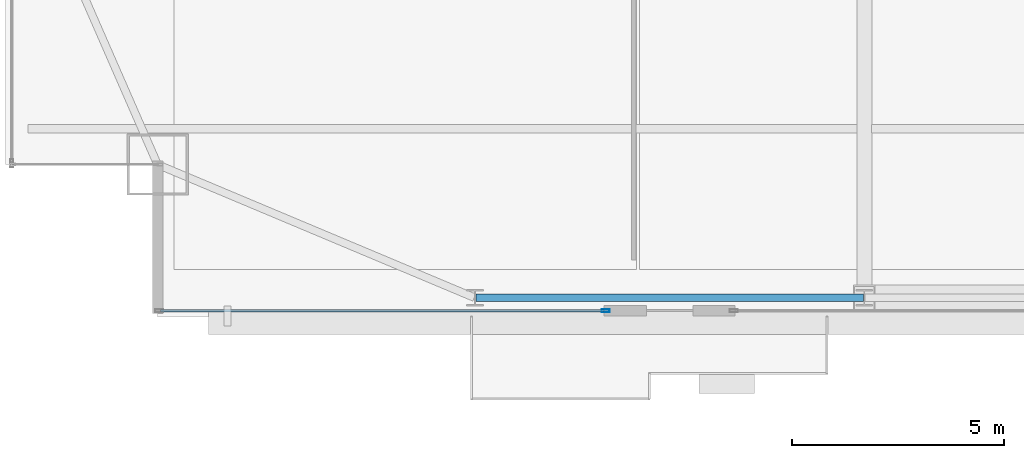
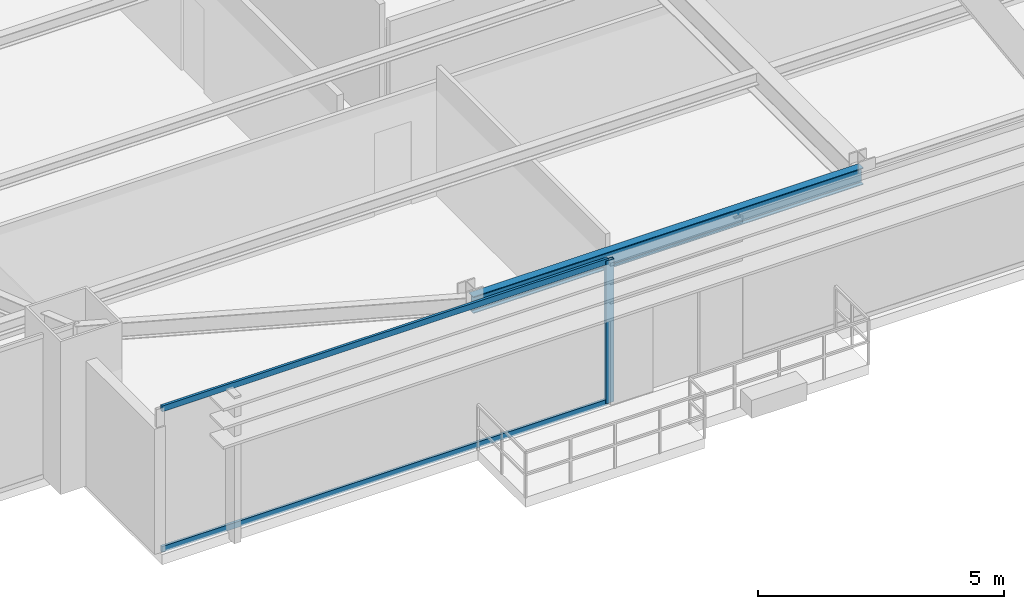
# One storey, part 4 of 37: 3 members, 1 beam, 1 element without a shape of its own.
"""IFC4 building model written with IfcOpenShell, lengths in metres."""

from ifc_helpers import new_model, si_unit, direction, frame, origin, origin_2d, place, context, subcontext, project, spatial, hollow_rectangle, i_section, extrude, source, transform, mapped, material, layer, layer_set, material_profile, profile_set, type_object, type_shapes, element, aggregate, save


model = new_model("IFC4")

# Units and contexts
model_context = context("Model", 3, precision=1e-05, world=origin(), true_north=direction((0.0, 1.0)))
body_context = subcontext(model_context, "Body", "Model", "MODEL_VIEW")
ifc_project = project(units=[si_unit("LENGTHUNIT", "METRE"), si_unit("AREAUNIT", "SQUARE_METRE"), si_unit("VOLUMEUNIT", "CUBIC_METRE"), si_unit("PLANEANGLEUNIT", "RADIAN"), si_unit("MASSUNIT", "GRAM", prefix="KILO")], contexts=[model_context])

# Site, building, storey
site_placement = place(None, origin())
site = spatial("IfcSite", under=ifc_project, at=site_placement, CompositionType="ELEMENT")
building_placement = place(site_placement, origin())
building = spatial("IfcBuilding", under=site, at=building_placement, Name="Varnel Quay Broadcast Tower", CompositionType="ELEMENT")
storey_placement = place(building_placement, frame((0.0, 0.0, 106.800048828125)))
storey = spatial("IfcBuildingStorey", under=building, at=storey_placement, Name="L25", CompositionType="ELEMENT", Elevation=106.800048828125)

# Beam
ifc_material_1 = material(Name="Structural Steel CSA G40.21 350W", Category="steel")
ifc_material_profile_1 = material_profile(ifc_material_1, i_section(OverallWidth=0.180908203125, OverallDepth=0.4169921875, WebThickness=0.010986328125, FlangeThickness=0.018310546875, FilletRadius=0.011962890625, at=origin_2d()), Name="W410X85")
ifc_profile_set_1 = profile_set([ifc_material_profile_1], Name="Structural Steel CSA G40.21 350W")
beam_type = type_object("IfcBeamType", Name="Beam_W410X85", PredefinedType="SPANDREL", material=ifc_profile_set_1)
shared_shape_1 = source(origin(), body_context, "Body", "SweptSolid", [
    extrude(i_section(OverallWidth=0.180908203125, OverallDepth=0.4169921875, WebThickness=0.010986328125, FlangeThickness=0.018310546875, FilletRadius=0.011962890625, at=origin_2d()), origin(), (0.0, 0.0, 1.0), 9.159912109375),
])
type_shapes(beam_type, [shared_shape_1])
beam_placement = place(storey_placement, frame((15.6201171875, 4.64990234375, 3.341552734375), z_axis=(1.0, 0.0, 0.0), x_axis=(0.0, 1.0, 0.0)))
element("IfcBeam", 1, at=beam_placement, inside=storey, type_object=beam_type, Name="L25 South Spandrel TC-S1-TC-S2", PredefinedType="SPANDREL", context=body_context, shape_type="MappedRepresentation", body=[
    mapped(shared_shape_1, transform((0.0, 0.0, 0.0), x_axis=(1.0, 0.0, 0.0), y_axis=(0.0, 1.0, 0.0), z_axis=(0.0, 0.0, 1.0), scale=1.0)),
])

# Curtain wall, members
ifc_material_2 = material(Name="Anodised Bronze Aluminium 6063-T6", Category="aluminium")
ifc_layer = layer(ifc_material_2, 0.18994140625, Name="Anodised Bronze Aluminium 6063-T6")
ifc_layer_set = layer_set([ifc_layer], Name="Anodised Bronze Aluminium 6063-T6")
curtain_wall_type = type_object("IfcCurtainWallType", Name="CW_LowerTower", PredefinedType="NOTDEFINED", material=ifc_layer_set)
curtain_wall_placement = place(storey_placement, origin())
curtain_wall = element("IfcCurtainWall", 2, at=curtain_wall_placement, inside=storey, type_object=curtain_wall_type, Name="L25 South Unitised Curtain Wall 1", PredefinedType="NOTDEFINED")
ifc_material_profile_2 = material_profile(ifc_material_2, hollow_rectangle(XDim=0.070068359375, YDim=0.18994140625, WallThickness=0.00390625, at=origin_2d()), Name="ALU70X190X4")
ifc_profile_set_2 = profile_set([ifc_material_profile_2], Name="Anodised Bronze Aluminium 6063-T6")
member_type_1 = type_object("IfcMemberType", Name="Mull_CWS-02", PredefinedType="MULLION", material=ifc_profile_set_2)
shared_shape_2 = source(origin(), body_context, "Body", "SweptSolid", [
    extrude(hollow_rectangle(XDim=0.070068359375, YDim=0.18994140625, WallThickness=0.00390625, at=origin_2d()), origin(), (0.0, 0.0, 1.0), 3.550048828125),
])
type_shapes(member_type_1, [shared_shape_2])
member_1_placement = place(storey_placement, frame((18.68505859375, 4.35009765625, 0.0), z_axis=(0.0, 0.0, 1.0), x_axis=(0.0, 1.0, 0.0)))
member_1 = element("IfcMember", 3, at=member_1_placement, type_object=member_type_1, Name="CWS-02 mullion 2", PredefinedType="MULLION", context=body_context, shape_type="MappedRepresentation", body=[
    mapped(shared_shape_2, transform((0.0, 0.0, 0.0), x_axis=(1.0, 0.0, 0.0), y_axis=(0.0, 1.0, 0.0), z_axis=(0.0, 0.0, 1.0), scale=1.0)),
])
ifc_material_profile_3 = material_profile(ifc_material_2, hollow_rectangle(XDim=0.06005859375, YDim=0.14501953125, WallThickness=0.00341796875, at=origin_2d()), Name="ALU60X145X3.5")
ifc_profile_set_3 = profile_set([ifc_material_profile_3], Name="Anodised Bronze Aluminium 6063-T6")
member_type_2 = type_object("IfcMemberType", Name="Tran_CWS-02", PredefinedType="USERDEFINED", material=ifc_profile_set_3)
shared_shape_3 = source(origin(), body_context, "Body", "SweptSolid", [
    extrude(hollow_rectangle(XDim=0.06005859375, YDim=0.14501953125, WallThickness=0.00341796875, at=origin_2d()), origin(), (0.0, 0.0, 1.0), 10.47998046875),
])
type_shapes(member_type_2, [shared_shape_3])
member_2_placement = place(storey_placement, frame((8.169921875, 4.35009765625, 0.030029296875), z_axis=(1.0, 0.0, 0.0), x_axis=(0.0, 1.0, 0.0)))
member_2 = element("IfcMember", 4, at=member_2_placement, type_object=member_type_2, Name="CWS-02 transom 1.1", ObjectType="TRANSOM", PredefinedType="USERDEFINED", context=body_context, shape_type="MappedRepresentation", body=[
    mapped(shared_shape_3, transform((0.0, 0.0, 0.0), x_axis=(1.0, 0.0, 0.0), y_axis=(0.0, 1.0, 0.0), z_axis=(0.0, 0.0, 1.0), scale=1.0)),
])
member_3_placement = place(storey_placement, frame((8.169921875, 4.35009765625, 3.52001953125), z_axis=(1.0, 0.0, 0.0), x_axis=(0.0, 1.0, 0.0)))
member_3 = element("IfcMember", 5, at=member_3_placement, type_object=member_type_2, Name="CWS-02 transom 1.2", ObjectType="TRANSOM", PredefinedType="USERDEFINED", context=body_context, shape_type="MappedRepresentation", body=[
    mapped(shared_shape_3, transform((0.0, 0.0, 0.0), x_axis=(1.0, 0.0, 0.0), y_axis=(0.0, 1.0, 0.0), z_axis=(0.0, 0.0, 1.0), scale=1.0)),
])
aggregate(curtain_wall, [member_1, member_2, member_3])

save(model, "model.ifc")
